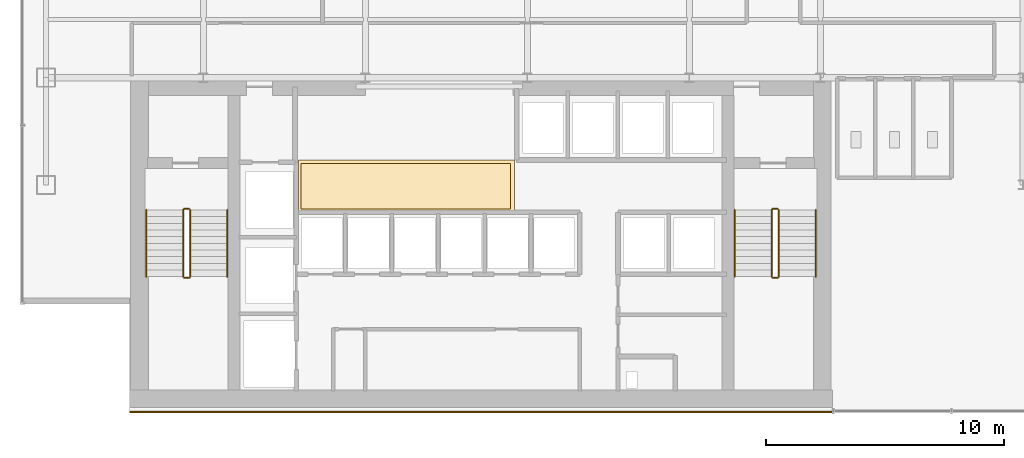
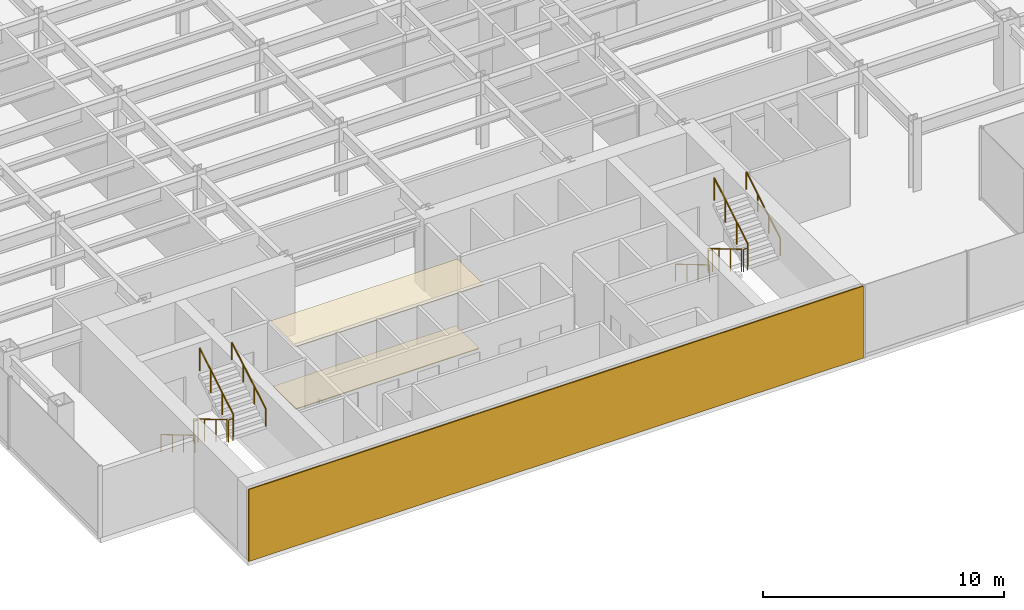
# One storey, part 24 of 26: 12 railings, 3 coverings.
"""IFC4 building model written with IfcOpenShell, lengths in metres."""

from ifc_helpers import new_model, si_unit, derived_unit, direction, frame, origin, origin_2d, place, context, subcontext, project, spatial, polyline, rectangle, circle, outline, extrude, source, transform, mapped, material, layer, layer_set, type_object, element, save


model = new_model("IFC4")

# Units and contexts
model_context = context("Model", 3, precision=1e-05, world=origin(), true_north=direction((0.0, 1.0)))
body_context = subcontext(model_context, "Body", "Model", "MODEL_VIEW")
ifc_project = project(units=[si_unit("LENGTHUNIT", "METRE"), si_unit("AREAUNIT", "SQUARE_METRE"), si_unit("VOLUMEUNIT", "CUBIC_METRE"), si_unit("PLANEANGLEUNIT", "RADIAN"), si_unit("MASSUNIT", "GRAM", prefix="KILO"), derived_unit("THERMALTRANSMITTANCEUNIT", [(si_unit("POWERUNIT", "WATT"), 1), (si_unit("LENGTHUNIT", "METRE"), -2), (si_unit("THERMODYNAMICTEMPERATUREUNIT", "KELVIN"), -1)])], contexts=[model_context])

# Site, building, storey
site_placement = place(None, origin())
site = spatial("IfcSite", under=ifc_project, at=site_placement, CompositionType="ELEMENT")
building_placement = place(site_placement, origin())
building = spatial("IfcBuilding", under=site, at=building_placement, Name="Skarnbrae Concourse Arena and Tower", CompositionType="ELEMENT")
storey_placement = place(building_placement, frame((0.0, 0.0, 117.85009765625)))
storey = spatial("IfcBuildingStorey", under=building, at=storey_placement, Name="L29", CompositionType="ELEMENT", Elevation=117.85009765625)

# Coverings
ifc_material_1 = material(Name="Mineral fibre acoustic ceiling tile", Category="other")
ifc_layer_1 = layer(ifc_material_1, 0.0400390625)
ifc_layer_set_1 = layer_set([ifc_layer_1], Name="Mineral fibre acoustic ceiling tile")
covering_type_1 = type_object("IfcCoveringType", Name="COV-CEIL-ACOUSTIC", PredefinedType="CEILING", material=ifc_layer_set_1)
covering_1_placement = place(storey_placement, frame((0.0, 0.0, 3.239990234375)))
element("IfcCovering", 1, at=covering_1_placement, inside=storey, type_object=covering_type_1, Name="L29 Lift lobby acoustic ceiling", PredefinedType="CEILING", context=body_context, shape_type="SweptSolid", body=[
    extrude(outline(polyline([(11.60009765625, 8.39990234375), (20.64990234375, 8.39990234375), (20.64990234375, 10.550048828125), (11.60009765625, 10.550048828125), (11.60009765625, 8.39990234375)])), origin(), (0.0, 0.0, 1.0), 0.039794921875),
])
ifc_material_2 = material(Name="Polished granite terrazzo flooring", Category="masonry")
ifc_layer_2 = layer(ifc_material_2, 0.0400390625)
ifc_layer_set_2 = layer_set([ifc_layer_2], Name="Polished granite terrazzo flooring")
covering_type_2 = type_object("IfcCoveringType", Name="COV-FLOOR-TERRAZZO", PredefinedType="FLOORING", material=ifc_layer_set_2)
covering_2_placement = place(storey_placement, origin())
element("IfcCovering", 2, at=covering_2_placement, inside=storey, type_object=covering_type_2, Name="L29 Lift lobby terrazzo flooring", PredefinedType="FLOORING", context=body_context, shape_type="SweptSolid", body=[
    extrude(outline(polyline([(11.699951171875, 8.5), (20.5, 8.5), (20.5, 10.39990234375), (11.699951171875, 10.39990234375), (11.699951171875, 8.5)])), origin(), (0.0, 0.0, 1.0), 0.039794921875),
])

# Railings
ifc_material_3 = material(Name="Steel CSA G40.21 350W", Category="steel")
railing_type_1 = type_object("IfcRailingType", Name="RAIL-HANDRAIL-900", PredefinedType="HANDRAIL", material=ifc_material_3)
railing_1_placement = place(storey_placement, frame((5.199951171875, 8.449951171875, 0.165771484375)))
element("IfcRailing", 3, at=railing_1_placement, inside=storey, type_object=railing_type_1, Name="L29 ST-1 stair handrail 1", PredefinedType="HANDRAIL", context=body_context, shape_type="SweptSolid", body=[
    extrude(circle(Radius=0.02392578125, at=origin_2d()), frame((0.0, 0.0, 0.8759765625), z_axis=(0.0, -0.860306154799, 0.50977771628), x_axis=(1.0, 0.0, 0.0)), (0.0, 0.0, 1.0), 3.254638671875),
    extrude(circle(Radius=0.02099609375, at=origin_2d()), origin(), (0.0, 0.0, 1.0), 0.851806640625),
    extrude(circle(Radius=0.02099609375, at=origin_2d()), frame((0.0, -0.933349609375, 0.552978515625)), (0.0, 0.0, 1.0), 0.851806640625),
    extrude(circle(Radius=0.02099609375, at=origin_2d()), frame((0.0, -1.86669921875, 1.106201171875)), (0.0, 0.0, 1.0), 0.851806640625),
    extrude(circle(Radius=0.02099609375, at=origin_2d()), frame((0.0, -2.800048828125, 1.6591796875)), (0.0, 0.0, 1.0), 0.851806640625),
])
railing_2_placement = place(storey_placement, frame((8.60009765625, 5.64990234375, 1.99072265625)))
element("IfcRailing", 4, at=railing_2_placement, inside=storey, type_object=railing_type_1, Name="L29 ST-1 stair handrail 2", PredefinedType="HANDRAIL", context=body_context, shape_type="SweptSolid", body=[
    extrude(circle(Radius=0.02392578125, at=origin_2d()), frame((0.0, 0.0, 0.8759765625), z_axis=(0.0, 0.860306154799, 0.50977771628), x_axis=(-1.0, 0.0, 0.0)), (0.0, 0.0, 1.0), 3.254638671875),
    extrude(circle(Radius=0.02099609375, at=origin_2d()), origin(), (0.0, 0.0, 1.0), 0.851806640625),
    extrude(circle(Radius=0.02099609375, at=origin_2d()), frame((0.0, 0.933349609375, 0.552978515625)), (0.0, 0.0, 1.0), 0.851806640625),
    extrude(circle(Radius=0.02099609375, at=origin_2d()), frame((0.0, 1.86669921875, 1.106201171875)), (0.0, 0.0, 1.0), 0.851806640625),
    extrude(circle(Radius=0.02099609375, at=origin_2d()), frame((0.0, 2.800048828125, 1.6591796875)), (0.0, 0.0, 1.0), 0.851806640625),
])
railing_3_placement = place(storey_placement, frame((29.89990234375, 8.449951171875, 0.165771484375)))
element("IfcRailing", 5, at=railing_3_placement, inside=storey, type_object=railing_type_1, Name="L29 ST-2 stair handrail 1", PredefinedType="HANDRAIL", context=body_context, shape_type="SweptSolid", body=[
    extrude(circle(Radius=0.02392578125, at=origin_2d()), frame((0.0, 0.0, 0.8759765625), z_axis=(0.0, -0.860306154799, 0.50977771628), x_axis=(1.0, 0.0, 0.0)), (0.0, 0.0, 1.0), 3.254638671875),
    extrude(circle(Radius=0.02099609375, at=origin_2d()), origin(), (0.0, 0.0, 1.0), 0.851806640625),
    extrude(circle(Radius=0.02099609375, at=origin_2d()), frame((0.0, -0.933349609375, 0.552978515625)), (0.0, 0.0, 1.0), 0.851806640625),
    extrude(circle(Radius=0.02099609375, at=origin_2d()), frame((0.0, -1.86669921875, 1.106201171875)), (0.0, 0.0, 1.0), 0.851806640625),
    extrude(circle(Radius=0.02099609375, at=origin_2d()), frame((0.0, -2.800048828125, 1.6591796875)), (0.0, 0.0, 1.0), 0.851806640625),
])
railing_4_placement = place(storey_placement, frame((33.300048828125, 5.64990234375, 1.99072265625)))
element("IfcRailing", 6, at=railing_4_placement, inside=storey, type_object=railing_type_1, Name="L29 ST-2 stair handrail 2", PredefinedType="HANDRAIL", context=body_context, shape_type="SweptSolid", body=[
    extrude(circle(Radius=0.02392578125, at=origin_2d()), frame((0.0, 0.0, 0.8759765625), z_axis=(0.0, 0.860306154799, 0.50977771628), x_axis=(-1.0, 0.0, 0.0)), (0.0, 0.0, 1.0), 3.254638671875),
    extrude(circle(Radius=0.02099609375, at=origin_2d()), origin(), (0.0, 0.0, 1.0), 0.851806640625),
    extrude(circle(Radius=0.02099609375, at=origin_2d()), frame((0.0, 0.933349609375, 0.552978515625)), (0.0, 0.0, 1.0), 0.851806640625),
    extrude(circle(Radius=0.02099609375, at=origin_2d()), frame((0.0, 1.86669921875, 1.106201171875)), (0.0, 0.0, 1.0), 0.851806640625),
    extrude(circle(Radius=0.02099609375, at=origin_2d()), frame((0.0, 2.800048828125, 1.6591796875)), (0.0, 0.0, 1.0), 0.851806640625),
])
railing_type_2 = type_object("IfcRailingType", Name="RAIL-STAIR-GUARD-1150", PredefinedType="GUARDRAIL", material=ifc_material_3)
railing_5_placement = place(storey_placement, frame((6.75, 8.449951171875, 0.165771484375)))
element("IfcRailing", 7, at=railing_5_placement, inside=storey, type_object=railing_type_2, Name="L29 ST-1 stair guard 1", PredefinedType="GUARDRAIL", context=body_context, shape_type="SweptSolid", body=[
    extrude(circle(Radius=0.02392578125, at=origin_2d()), frame((0.0, 0.0, 1.1259765625), z_axis=(0.0, -0.860306154799, 0.50977771628), x_axis=(1.0, 0.0, 0.0)), (0.0, 0.0, 1.0), 3.254638671875),
    extrude(circle(Radius=0.02099609375, at=origin_2d()), origin(), (0.0, 0.0, 1.0), 1.101806640625),
    extrude(circle(Radius=0.02099609375, at=origin_2d()), frame((0.0, -0.933349609375, 0.552978515625)), (0.0, 0.0, 1.0), 1.101806640625),
    extrude(circle(Radius=0.02099609375, at=origin_2d()), frame((0.0, -1.86669921875, 1.106201171875)), (0.0, 0.0, 1.0), 1.101806640625),
    extrude(circle(Radius=0.02099609375, at=origin_2d()), frame((0.0, -2.800048828125, 1.6591796875)), (0.0, 0.0, 1.0), 1.101806640625),
])
railing_6_placement = place(storey_placement, frame((6.800048828125, 5.60009765625, 1.824951171875)))
element("IfcRailing", 8, at=railing_6_placement, inside=storey, type_object=railing_type_2, Name="L29 ST-1 stair guard 2", PredefinedType="GUARDRAIL", context=body_context, shape_type="SweptSolid", body=[
    extrude(circle(Radius=0.02392578125, at=origin_2d()), frame((0.0, 0.0, 1.1259765625), z_axis=(1.0, 0.0, 0.0), x_axis=(0.0, 1.0, 0.0)), (0.0, 0.0, 1.0), 0.199951171875),
    extrude(circle(Radius=0.02099609375, at=origin_2d()), origin(), (0.0, 0.0, 1.0), 1.101806640625),
    extrude(circle(Radius=0.02099609375, at=origin_2d()), frame((0.199951171875, 0.0, 0.0)), (0.0, 0.0, 1.0), 1.101806640625),
])
railing_7_placement = place(storey_placement, frame((7.050048828125, 5.64990234375, 1.99072265625)))
element("IfcRailing", 9, at=railing_7_placement, inside=storey, type_object=railing_type_2, Name="L29 ST-1 stair guard 3", PredefinedType="GUARDRAIL", context=body_context, shape_type="SweptSolid", body=[
    extrude(circle(Radius=0.02392578125, at=origin_2d()), frame((0.0, 0.0, 1.1259765625), z_axis=(0.0, 0.860306154799, 0.50977771628), x_axis=(-1.0, 0.0, 0.0)), (0.0, 0.0, 1.0), 3.254638671875),
    extrude(circle(Radius=0.02099609375, at=origin_2d()), origin(), (0.0, 0.0, 1.0), 1.101806640625),
    extrude(circle(Radius=0.02099609375, at=origin_2d()), frame((0.0, 0.933349609375, 0.552978515625)), (0.0, 0.0, 1.0), 1.101806640625),
    extrude(circle(Radius=0.02099609375, at=origin_2d()), frame((0.0, 1.86669921875, 1.106201171875)), (0.0, 0.0, 1.0), 1.101806640625),
    extrude(circle(Radius=0.02099609375, at=origin_2d()), frame((0.0, 2.800048828125, 1.6591796875)), (0.0, 0.0, 1.0), 1.101806640625),
])
railing_8_placement = place(storey_placement, frame((6.800048828125, 8.5, 0.0)))
element("IfcRailing", 10, at=railing_8_placement, inside=storey, type_object=railing_type_2, Name="L29 ST-1 stair guard 4", PredefinedType="GUARDRAIL", context=body_context, shape_type="SweptSolid", body=[
    extrude(circle(Radius=0.02392578125, at=origin_2d()), frame((0.0, 0.0, 1.1259765625), z_axis=(1.0, 0.0, 0.0), x_axis=(0.0, 1.0, 0.0)), (0.0, 0.0, 1.0), 0.199951171875),
    extrude(circle(Radius=0.02099609375, at=origin_2d()), origin(), (0.0, 0.0, 1.0), 1.101806640625),
    extrude(circle(Radius=0.02099609375, at=origin_2d()), frame((0.199951171875, 0.0, 0.0)), (0.0, 0.0, 1.0), 1.101806640625),
])
railing_9_placement = place(storey_placement, frame((31.449951171875, 8.449951171875, 0.165771484375)))
element("IfcRailing", 11, at=railing_9_placement, inside=storey, type_object=railing_type_2, Name="L29 ST-2 stair guard 1", PredefinedType="GUARDRAIL", context=body_context, shape_type="SweptSolid", body=[
    extrude(circle(Radius=0.02392578125, at=origin_2d()), frame((0.0, 0.0, 1.1259765625), z_axis=(0.0, -0.860306154799, 0.50977771628), x_axis=(1.0, 0.0, 0.0)), (0.0, 0.0, 1.0), 3.254638671875),
    extrude(circle(Radius=0.02099609375, at=origin_2d()), origin(), (0.0, 0.0, 1.0), 1.101806640625),
    extrude(circle(Radius=0.02099609375, at=origin_2d()), frame((0.0, -0.933349609375, 0.552978515625)), (0.0, 0.0, 1.0), 1.101806640625),
    extrude(circle(Radius=0.02099609375, at=origin_2d()), frame((0.0, -1.86669921875, 1.106201171875)), (0.0, 0.0, 1.0), 1.101806640625),
    extrude(circle(Radius=0.02099609375, at=origin_2d()), frame((0.0, -2.800048828125, 1.6591796875)), (0.0, 0.0, 1.0), 1.101806640625),
])
railing_10_placement = place(storey_placement, frame((31.5, 5.60009765625, 1.824951171875)))
element("IfcRailing", 12, at=railing_10_placement, inside=storey, type_object=railing_type_2, Name="L29 ST-2 stair guard 2", PredefinedType="GUARDRAIL", context=body_context, shape_type="SweptSolid", body=[
    extrude(circle(Radius=0.02392578125, at=origin_2d()), frame((0.0, 0.0, 1.1259765625), z_axis=(1.0, 0.0, 0.0), x_axis=(0.0, 1.0, 0.0)), (0.0, 0.0, 1.0), 0.199951171875),
    extrude(circle(Radius=0.02099609375, at=origin_2d()), origin(), (0.0, 0.0, 1.0), 1.101806640625),
    extrude(circle(Radius=0.02099609375, at=origin_2d()), frame((0.199951171875, 0.0, 0.0)), (0.0, 0.0, 1.0), 1.101806640625),
])
railing_11_placement = place(storey_placement, frame((31.75, 5.64990234375, 1.99072265625)))
element("IfcRailing", 13, at=railing_11_placement, inside=storey, type_object=railing_type_2, Name="L29 ST-2 stair guard 3", PredefinedType="GUARDRAIL", context=body_context, shape_type="SweptSolid", body=[
    extrude(circle(Radius=0.02392578125, at=origin_2d()), frame((0.0, 0.0, 1.1259765625), z_axis=(0.0, 0.860306154799, 0.50977771628), x_axis=(-1.0, 0.0, 0.0)), (0.0, 0.0, 1.0), 3.254638671875),
    extrude(circle(Radius=0.02099609375, at=origin_2d()), origin(), (0.0, 0.0, 1.0), 1.101806640625),
    extrude(circle(Radius=0.02099609375, at=origin_2d()), frame((0.0, 0.933349609375, 0.552978515625)), (0.0, 0.0, 1.0), 1.101806640625),
    extrude(circle(Radius=0.02099609375, at=origin_2d()), frame((0.0, 1.86669921875, 1.106201171875)), (0.0, 0.0, 1.0), 1.101806640625),
    extrude(circle(Radius=0.02099609375, at=origin_2d()), frame((0.0, 2.800048828125, 1.6591796875)), (0.0, 0.0, 1.0), 1.101806640625),
])
railing_12_placement = place(storey_placement, frame((31.5, 8.5, 0.0)))
element("IfcRailing", 14, at=railing_12_placement, inside=storey, type_object=railing_type_2, Name="L29 ST-2 stair guard 4", PredefinedType="GUARDRAIL", context=body_context, shape_type="SweptSolid", body=[
    extrude(circle(Radius=0.02392578125, at=origin_2d()), frame((0.0, 0.0, 1.1259765625), z_axis=(1.0, 0.0, 0.0), x_axis=(0.0, 1.0, 0.0)), (0.0, 0.0, 1.0), 0.199951171875),
    extrude(circle(Radius=0.02099609375, at=origin_2d()), origin(), (0.0, 0.0, 1.0), 1.101806640625),
    extrude(circle(Radius=0.02099609375, at=origin_2d()), frame((0.199951171875, 0.0, 0.0)), (0.0, 0.0, 1.0), 1.101806640625),
])

# Covering
ifc_material_4 = material(Name="Bronze anodised aluminium 6063-T6", Category="aluminium")
ifc_layer_3 = layer(ifc_material_4, 0.06005859375)
ifc_layer_set_3 = layer_set([ifc_layer_3], Name="Bronze anodised aluminium 6063-T6")
covering_type_3 = type_object("IfcCoveringType", Name="COV-CLAD-BRONZE-60", PredefinedType="CLADDING", material=ifc_layer_set_3)
shared_shape = source(origin(), body_context, "Body", "SweptSolid", [
    extrude(rectangle(XDim=29.5, YDim=0.06005859375, at=origin_2d()), origin(), (0.0, 0.0, 1.0), 3.64990234375),
])
covering_3_placement = place(storey_placement, frame((19.25, -0.030029296875, 0.0), z_axis=(0.0, 0.0, 1.0), x_axis=(1.0, 0.0, 0.0)))
element("IfcCovering", 15, at=covering_3_placement, inside=storey, type_object=covering_type_3, Name="L29 Rear-core plumb spine bronze rainscreen panel", PredefinedType="CLADDING", context=body_context, shape_type="MappedRepresentation", body=[
    mapped(shared_shape, transform((0.0, 0.0, 0.0))),
])

save(model, "model.ifc")
